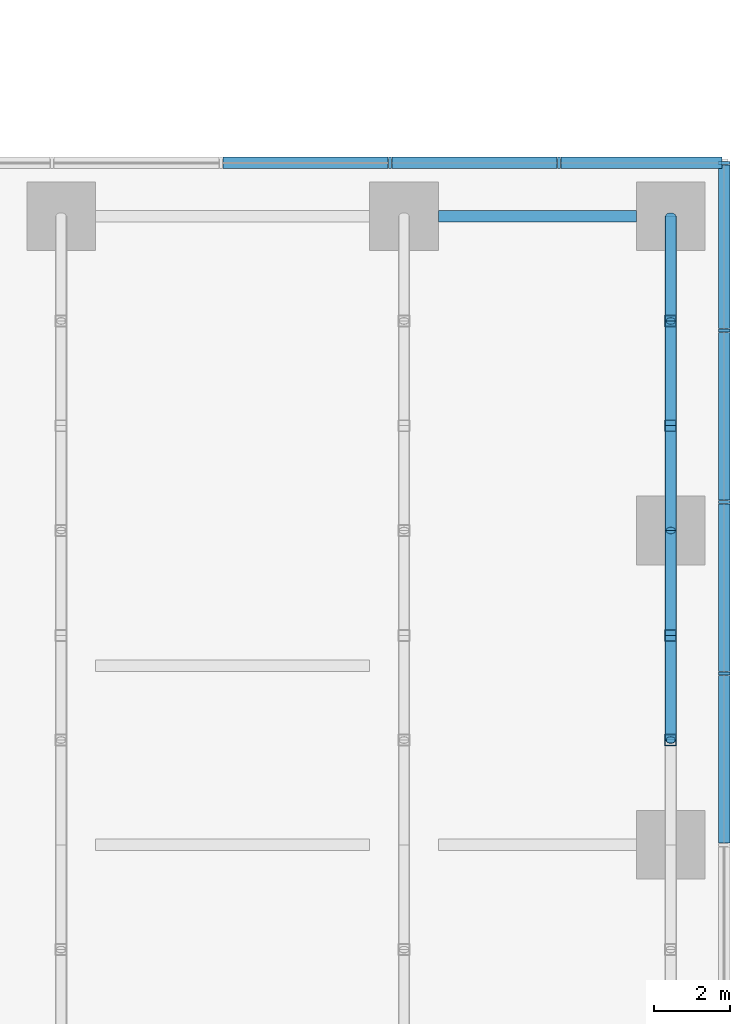
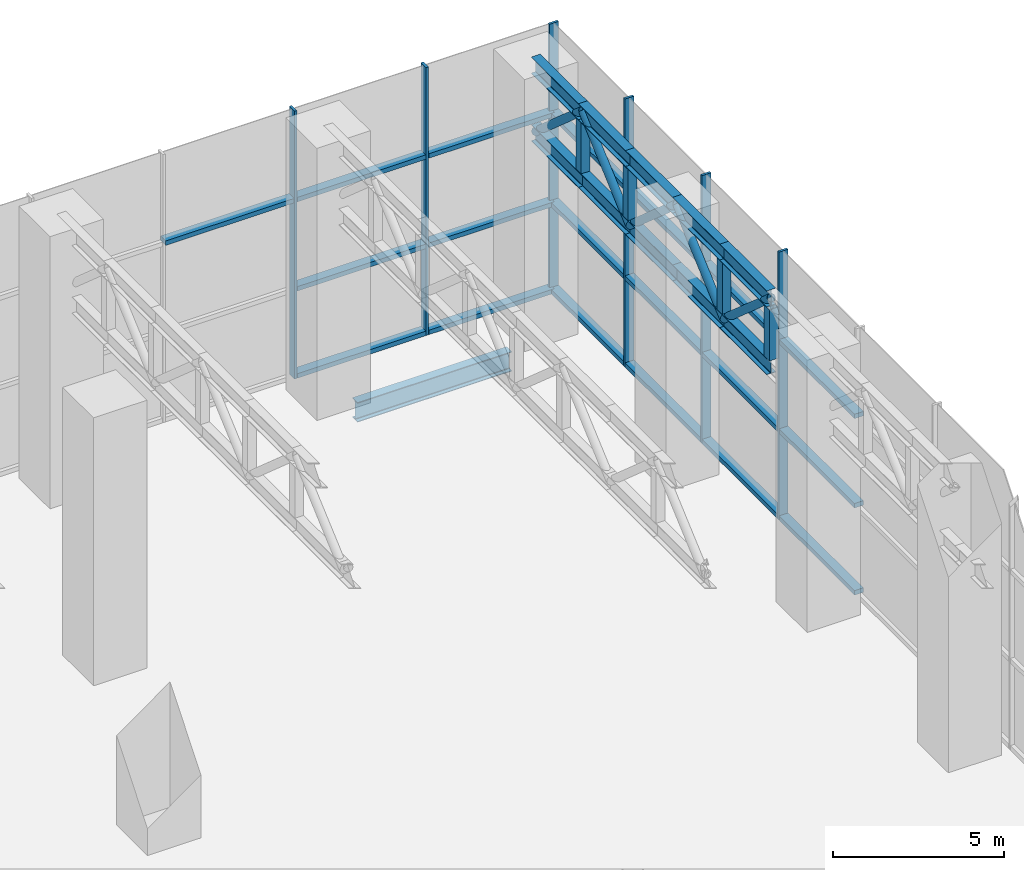
# One storey, part 8 of 21: 44 members, 1 beam, 2 elements without a shape of their own.
"""IFC4 building model written with IfcOpenShell, lengths in metres."""

from ifc_helpers import new_model, si_unit, direction, frame, origin, origin_2d, place, context, subcontext, project, spatial, rectangle, hollow_rectangle, hollow_circle, i_section, extrude, material, layer, layer_set, material_profile, profile_set, type_object, element, aggregate, save


model = new_model("IFC4")

# Units and contexts
model_context = context("Model", 3, precision=1e-05, world=origin(), true_north=direction((0.0, 1.0)))
body_context = subcontext(model_context, "Body", "Model", "MODEL_VIEW")
ifc_project = project(units=[si_unit("LENGTHUNIT", "METRE"), si_unit("AREAUNIT", "SQUARE_METRE"), si_unit("VOLUMEUNIT", "CUBIC_METRE"), si_unit("PLANEANGLEUNIT", "RADIAN"), si_unit("MASSUNIT", "GRAM", prefix="KILO")], contexts=[model_context])

# Site, building, storey
site_placement = place(None, origin())
site = spatial("IfcSite", under=ifc_project, at=site_placement, CompositionType="ELEMENT")
building_placement = place(site_placement, origin())
building = spatial("IfcBuilding", under=site, at=building_placement, Name="Dongbaek Canopy Tower", CompositionType="ELEMENT")
storey_placement = place(building_placement, frame((0.0, 0.0, 9.0)))
storey = spatial("IfcBuildingStorey", under=building, at=storey_placement, Name="L01", CompositionType="ELEMENT", Elevation=9.0)

# Members
ifc_material_1 = material(Name="Steel S355", Category="steel")
ifc_material_profile_1 = material_profile(ifc_material_1, hollow_circle(Radius=0.1337890625, WallThickness=0.00927734375, at=origin_2d()), Name="BRACE CHS 267.4x9.3 Steel S355")
ifc_profile_set_1 = profile_set([ifc_material_profile_1], Name="Steel S355")
member_type_1 = type_object("IfcMemberType", Name="BRACE CHS 267.4x9.3 Steel S355", PredefinedType="BRACE", material=ifc_profile_set_1)
for number, where, z_axis, x_axis, name in (
    (1, (56.5, 2.75, 9.406005859375), (0.0, 0.751782331066, -0.659411348627), (-1.0, 0.0, 0.0), "ROOFTRUSS:EW:3:D7"),
    (2, (56.5, 5.5, 6.993896484375), (0.0, 0.751782331066, 0.659411348627), (-1.0, 0.0, 0.0), "ROOFTRUSS:EW:3:D8"),
    (3, (56.5, 8.25, 9.406005859375), (0.0, 0.751782331066, -0.659411348627), (-1.0, 0.0, 0.0), "ROOFTRUSS:EW:3:D9"),
    (4, (56.5, 11.0, 6.993896484375), (0.0, 0.751782331066, 0.659411348627), (-1.0, 0.0, 0.0), "ROOFTRUSS:EW:3:D10"),
    (5, (56.5, 13.75, 9.406005859375), (0.0, 0.751782331066, -0.659411348627), (-1.0, 0.0, 0.0), "ROOFTRUSS:EW:3:D11"),
):
    element("IfcMember", number, at=place(storey_placement, frame(where, z_axis=z_axis, x_axis=x_axis)), inside=storey, type_object=member_type_1, Name=name, PredefinedType="BRACE", context=body_context, shape_type="SweptSolid", body=[
        extrude(hollow_circle(Radius=0.1337890625, WallThickness=0.00927734375, at=origin_2d()), origin(), (0.0, 0.0, 1.0), 3.657958984375),
    ])
ifc_material_2 = material(Name="Steel S355", Category="steel")
ifc_material_profile_2 = material_profile(ifc_material_2, i_section(OverallWidth=0.300048828125, OverallDepth=0.587890625, WebThickness=0.011962890625, FlangeThickness=0.02001953125, FilletRadius=0.028076171875, at=origin_2d()), Name="CHORD H 588x300x12x20 Steel S355")
ifc_profile_set_2 = profile_set([ifc_material_profile_2], Name="Steel S355")
member_type_2 = type_object("IfcMemberType", Name="CHORD H 588x300x12x20 Steel S355", PredefinedType="CHORD", material=ifc_profile_set_2)
for number, where, z_axis, x_axis, name in (
    (6, (56.5, 2.75, 6.993896484375), (0.0, 1.0, 0.0), (-1.0, 0.0, 0.0), "ROOFTRUSS:EW:3:CB7"),
    (7, (56.5, 2.75, 9.406005859375), (0.0, 1.0, 0.0), (-1.0, 0.0, 0.0), "ROOFTRUSS:EW:3:CT7"),
    (8, (56.5, 5.5, 6.993896484375), (0.0, 1.0, 0.0), (-1.0, 0.0, 0.0), "ROOFTRUSS:EW:3:CB8"),
    (9, (56.5, 5.5, 9.406005859375), (0.0, 1.0, 0.0), (-1.0, 0.0, 0.0), "ROOFTRUSS:EW:3:CT8"),
    (10, (56.5, 8.25, 6.993896484375), (0.0, 1.0, 0.0), (-1.0, 0.0, 0.0), "ROOFTRUSS:EW:3:CB9"),
    (11, (56.5, 8.25, 9.406005859375), (0.0, 1.0, 0.0), (-1.0, 0.0, 0.0), "ROOFTRUSS:EW:3:CT9"),
    (12, (56.5, 11.0, 6.993896484375), (0.0, 1.0, 0.0), (-1.0, 0.0, 0.0), "ROOFTRUSS:EW:3:CB10"),
    (13, (56.5, 11.0, 9.406005859375), (0.0, 1.0, 0.0), (-1.0, 0.0, 0.0), "ROOFTRUSS:EW:3:CT10"),
    (14, (56.5, 13.75, 6.993896484375), (0.0, 1.0, 0.0), (-1.0, 0.0, 0.0), "ROOFTRUSS:EW:3:CB11"),
    (15, (56.5, 13.75, 9.406005859375), (0.0, 1.0, 0.0), (-1.0, 0.0, 0.0), "ROOFTRUSS:EW:3:CT11"),
):
    element("IfcMember", number, at=place(storey_placement, frame(where, z_axis=z_axis, x_axis=x_axis)), inside=storey, type_object=member_type_2, Name=name, PredefinedType="CHORD", context=body_context, shape_type="SweptSolid", body=[
        extrude(i_section(OverallWidth=0.300048828125, OverallDepth=0.587890625, WebThickness=0.011962890625, FlangeThickness=0.02001953125, FilletRadius=0.028076171875, at=origin_2d()), origin(), (0.0, 0.0, 1.0), 2.75),
    ])

# Curtain wall, members
ifc_material_3 = material(Name="Aluminium 6063-T6 pale anodised", Category="aluminium")
ifc_layer = layer(ifc_material_3, 0.300048828125)
ifc_layer_set = layer_set([ifc_layer], Name="CW-2 podium hall curtain wall")
curtain_wall_type = type_object("IfcCurtainWallType", Name="CW-2 podium hall curtain wall", PredefinedType="NOTDEFINED", material=ifc_layer_set)
curtain_wall_1_placement = place(storey_placement, origin())
curtain_wall_1 = element("IfcCurtainWall", 16, at=curtain_wall_1_placement, inside=storey, type_object=curtain_wall_type, Name="CW-2 curtain wall F3.1", PredefinedType="NOTDEFINED")
ifc_material_4 = material(Name="Aluminium 6063-T6 pale anodised", Category="aluminium")
ifc_material_profile_3 = material_profile(ifc_material_4, rectangle(XDim=0.300048828125, YDim=0.080078125, at=origin_2d()), Name="CW-2 mullion 80 x 300")
ifc_profile_set_3 = profile_set([ifc_material_profile_3], Name="Aluminium 6063-T6 pale anodised")
member_type_3 = type_object("IfcMemberType", Name="CW-2 mullion 80 x 300", PredefinedType="MULLION", material=ifc_profile_set_3)
member_1_placement = place(storey_placement, frame((57.89990234375, 4.5, 0.0), z_axis=(0.0, 0.0, 1.0), x_axis=(1.0, 0.0, 0.0)))
member_1 = element("IfcMember", 17, at=member_1_placement, type_object=member_type_3, Name="CW-2 mullion F3.1.6", PredefinedType="MULLION", context=body_context, shape_type="SweptSolid", body=[
    extrude(rectangle(XDim=0.300048828125, YDim=0.080078125, at=origin_2d()), origin(), (0.0, 0.0, 1.0), 9.550048828125),
])
member_2_placement = place(storey_placement, frame((57.89990234375, 9.0, 0.0), z_axis=(0.0, 0.0, 1.0), x_axis=(1.0, 0.0, 0.0)))
member_2 = element("IfcMember", 18, at=member_2_placement, type_object=member_type_3, Name="CW-2 mullion F3.1.7", PredefinedType="MULLION", context=body_context, shape_type="SweptSolid", body=[
    extrude(rectangle(XDim=0.300048828125, YDim=0.080078125, at=origin_2d()), origin(), (0.0, 0.0, 1.0), 9.550048828125),
])
member_3_placement = place(storey_placement, frame((57.89990234375, 13.5, 0.0), z_axis=(0.0, 0.0, 1.0), x_axis=(1.0, 0.0, 0.0)))
member_3 = element("IfcMember", 19, at=member_3_placement, type_object=member_type_3, Name="CW-2 mullion F3.1.8", PredefinedType="MULLION", context=body_context, shape_type="SweptSolid", body=[
    extrude(rectangle(XDim=0.300048828125, YDim=0.080078125, at=origin_2d()), origin(), (0.0, 0.0, 1.0), 9.550048828125),
])
member_4_placement = place(storey_placement, frame((57.89990234375, 17.89990234375, 0.0), z_axis=(0.0, 0.0, 1.0), x_axis=(1.0, 0.0, 0.0)))
member_4 = element("IfcMember", 20, at=member_4_placement, type_object=member_type_3, Name="CW-2 mullion F3.1.9", PredefinedType="MULLION", context=body_context, shape_type="SweptSolid", body=[
    extrude(rectangle(XDim=0.300048828125, YDim=0.080078125, at=origin_2d()), origin(), (0.0, 0.0, 1.0), 9.550048828125),
])

curtain_wall_2_placement = place(storey_placement, origin())
curtain_wall_2 = element("IfcCurtainWall", 21, at=curtain_wall_2_placement, inside=storey, type_object=curtain_wall_type, Name="CW-2 curtain wall F4.1", PredefinedType="NOTDEFINED")
member_5_placement = place(storey_placement, frame((53.563720703125, 17.89990234375, 0.0), z_axis=(0.0, 0.0, 1.0), x_axis=(0.0, 1.0, 0.0)))
member_5 = element("IfcMember", 22, at=member_5_placement, type_object=member_type_3, Name="CW-2 mullion F4.1.2", PredefinedType="MULLION", context=body_context, shape_type="SweptSolid", body=[
    extrude(rectangle(XDim=0.300048828125, YDim=0.080078125, at=origin_2d()), origin(), (0.0, 0.0, 1.0), 9.550048828125),
])
member_6_placement = place(storey_placement, frame((49.127685546875, 17.89990234375, 0.0), z_axis=(0.0, 0.0, 1.0), x_axis=(0.0, 1.0, 0.0)))
member_6 = element("IfcMember", 23, at=member_6_placement, type_object=member_type_3, Name="CW-2 mullion F4.1.3", PredefinedType="MULLION", context=body_context, shape_type="SweptSolid", body=[
    extrude(rectangle(XDim=0.300048828125, YDim=0.080078125, at=origin_2d()), origin(), (0.0, 0.0, 1.0), 9.550048828125),
])

# Member
ifc_material_5 = material(Name="Aluminium 6063-T6 pale anodised", Category="aluminium")
ifc_material_profile_4 = material_profile(ifc_material_5, rectangle(XDim=0.300048828125, YDim=0.159912109375, at=origin_2d()), Name="CW-2 transom 160 x 300")
ifc_profile_set_4 = profile_set([ifc_material_profile_4], Name="Aluminium 6063-T6 pale anodised")
member_type_4 = type_object("IfcMemberType", Name="CW-2 transom 160 x 300", PredefinedType="USERDEFINED", material=ifc_profile_set_4)
member_7_placement = place(storey_placement, frame((57.89990234375, 0.052001953125, 0.080078125), z_axis=(0.0, 1.0, 0.0), x_axis=(-1.0, 0.0, 0.0)))
member_7 = element("IfcMember", 24, at=member_7_placement, type_object=member_type_4, Name="CW-2 transom F3.1.5.1", ObjectType="TRANSOM", PredefinedType="USERDEFINED", context=body_context, shape_type="SweptSolid", body=[
    extrude(rectangle(XDim=0.300048828125, YDim=0.159912109375, at=origin_2d()), origin(), (0.0, 0.0, 1.0), 4.39599609375),
])

member_8_placement = place(storey_placement, frame((57.89990234375, 0.052001953125, 3.183349609375), z_axis=(0.0, 1.0, 0.0), x_axis=(-1.0, 0.0, 0.0)))
member_8 = element("IfcMember", 25, at=member_8_placement, type_object=member_type_4, Name="CW-2 transom F3.1.5.2", ObjectType="TRANSOM", PredefinedType="USERDEFINED", context=body_context, shape_type="SweptSolid", body=[
    extrude(rectangle(XDim=0.300048828125, YDim=0.159912109375, at=origin_2d()), origin(), (0.0, 0.0, 1.0), 4.39599609375),
])

member_9_placement = place(storey_placement, frame((57.89990234375, 0.052001953125, 6.36669921875), z_axis=(0.0, 1.0, 0.0), x_axis=(-1.0, 0.0, 0.0)))
member_9 = element("IfcMember", 26, at=member_9_placement, type_object=member_type_4, Name="CW-2 transom F3.1.5.3", ObjectType="TRANSOM", PredefinedType="USERDEFINED", context=body_context, shape_type="SweptSolid", body=[
    extrude(rectangle(XDim=0.300048828125, YDim=0.159912109375, at=origin_2d()), origin(), (0.0, 0.0, 1.0), 4.39599609375),
])

member_10_placement = place(storey_placement, frame((57.89990234375, 4.552001953125, 0.080078125), z_axis=(0.0, 1.0, 0.0), x_axis=(-1.0, 0.0, 0.0)))
member_10 = element("IfcMember", 27, at=member_10_placement, type_object=member_type_4, Name="CW-2 transom F3.1.6.1", ObjectType="TRANSOM", PredefinedType="USERDEFINED", context=body_context, shape_type="SweptSolid", body=[
    extrude(rectangle(XDim=0.300048828125, YDim=0.159912109375, at=origin_2d()), origin(), (0.0, 0.0, 1.0), 4.39599609375),
])

member_11_placement = place(storey_placement, frame((57.89990234375, 4.552001953125, 3.183349609375), z_axis=(0.0, 1.0, 0.0), x_axis=(-1.0, 0.0, 0.0)))
member_11 = element("IfcMember", 28, at=member_11_placement, type_object=member_type_4, Name="CW-2 transom F3.1.6.2", ObjectType="TRANSOM", PredefinedType="USERDEFINED", context=body_context, shape_type="SweptSolid", body=[
    extrude(rectangle(XDim=0.300048828125, YDim=0.159912109375, at=origin_2d()), origin(), (0.0, 0.0, 1.0), 4.39599609375),
])

member_12_placement = place(storey_placement, frame((57.89990234375, 4.552001953125, 6.36669921875), z_axis=(0.0, 1.0, 0.0), x_axis=(-1.0, 0.0, 0.0)))
member_12 = element("IfcMember", 29, at=member_12_placement, type_object=member_type_4, Name="CW-2 transom F3.1.6.3", ObjectType="TRANSOM", PredefinedType="USERDEFINED", context=body_context, shape_type="SweptSolid", body=[
    extrude(rectangle(XDim=0.300048828125, YDim=0.159912109375, at=origin_2d()), origin(), (0.0, 0.0, 1.0), 4.39599609375),
])

member_13_placement = place(storey_placement, frame((57.89990234375, 9.052001953125, 0.080078125), z_axis=(0.0, 1.0, 0.0), x_axis=(-1.0, 0.0, 0.0)))
member_13 = element("IfcMember", 30, at=member_13_placement, type_object=member_type_4, Name="CW-2 transom F3.1.7.1", ObjectType="TRANSOM", PredefinedType="USERDEFINED", context=body_context, shape_type="SweptSolid", body=[
    extrude(rectangle(XDim=0.300048828125, YDim=0.159912109375, at=origin_2d()), origin(), (0.0, 0.0, 1.0), 4.39599609375),
])

member_14_placement = place(storey_placement, frame((57.89990234375, 9.052001953125, 3.183349609375), z_axis=(0.0, 1.0, 0.0), x_axis=(-1.0, 0.0, 0.0)))
member_14 = element("IfcMember", 31, at=member_14_placement, type_object=member_type_4, Name="CW-2 transom F3.1.7.2", ObjectType="TRANSOM", PredefinedType="USERDEFINED", context=body_context, shape_type="SweptSolid", body=[
    extrude(rectangle(XDim=0.300048828125, YDim=0.159912109375, at=origin_2d()), origin(), (0.0, 0.0, 1.0), 4.39599609375),
])

member_15_placement = place(storey_placement, frame((57.89990234375, 9.052001953125, 6.36669921875), z_axis=(0.0, 1.0, 0.0), x_axis=(-1.0, 0.0, 0.0)))
member_15 = element("IfcMember", 32, at=member_15_placement, type_object=member_type_4, Name="CW-2 transom F3.1.7.3", ObjectType="TRANSOM", PredefinedType="USERDEFINED", context=body_context, shape_type="SweptSolid", body=[
    extrude(rectangle(XDim=0.300048828125, YDim=0.159912109375, at=origin_2d()), origin(), (0.0, 0.0, 1.0), 4.39599609375),
])

member_16_placement = place(storey_placement, frame((57.89990234375, 13.552001953125, 0.080078125), z_axis=(0.0, 1.0, 0.0), x_axis=(-1.0, 0.0, 0.0)))
member_16 = element("IfcMember", 33, at=member_16_placement, type_object=member_type_4, Name="CW-2 transom F3.1.8.1", ObjectType="TRANSOM", PredefinedType="USERDEFINED", context=body_context, shape_type="SweptSolid", body=[
    extrude(rectangle(XDim=0.300048828125, YDim=0.159912109375, at=origin_2d()), origin(), (0.0, 0.0, 1.0), 4.2958984375),
])

member_17_placement = place(storey_placement, frame((57.89990234375, 13.552001953125, 3.183349609375), z_axis=(0.0, 1.0, 0.0), x_axis=(-1.0, 0.0, 0.0)))
member_17 = element("IfcMember", 34, at=member_17_placement, type_object=member_type_4, Name="CW-2 transom F3.1.8.2", ObjectType="TRANSOM", PredefinedType="USERDEFINED", context=body_context, shape_type="SweptSolid", body=[
    extrude(rectangle(XDim=0.300048828125, YDim=0.159912109375, at=origin_2d()), origin(), (0.0, 0.0, 1.0), 4.2958984375),
])

member_18_placement = place(storey_placement, frame((57.89990234375, 13.552001953125, 6.36669921875), z_axis=(0.0, 1.0, 0.0), x_axis=(-1.0, 0.0, 0.0)))
member_18 = element("IfcMember", 35, at=member_18_placement, type_object=member_type_4, Name="CW-2 transom F3.1.8.3", ObjectType="TRANSOM", PredefinedType="USERDEFINED", context=body_context, shape_type="SweptSolid", body=[
    extrude(rectangle(XDim=0.300048828125, YDim=0.159912109375, at=origin_2d()), origin(), (0.0, 0.0, 1.0), 4.2958984375),
])

aggregate(curtain_wall_1, [member_1, member_2, member_3, member_4, member_7, member_8, member_9, member_10, member_11, member_12, member_13, member_14, member_15, member_16, member_17, member_18])

member_19_placement = place(storey_placement, frame((57.847900390625, 17.89990234375, 0.080078125), z_axis=(-1.0, 0.0, 0.0), x_axis=(0.0, -1.0, 0.0)))
member_19 = element("IfcMember", 36, at=member_19_placement, type_object=member_type_4, Name="CW-2 transom F4.1.1.1", ObjectType="TRANSOM", PredefinedType="USERDEFINED", context=body_context, shape_type="SweptSolid", body=[
    extrude(rectangle(XDim=0.300048828125, YDim=0.159912109375, at=origin_2d()), origin(), (0.0, 0.0, 1.0), 4.232177734375),
])

member_20_placement = place(storey_placement, frame((57.847900390625, 17.89990234375, 3.183349609375), z_axis=(-1.0, 0.0, 0.0), x_axis=(0.0, -1.0, 0.0)))
member_20 = element("IfcMember", 37, at=member_20_placement, type_object=member_type_4, Name="CW-2 transom F4.1.1.2", ObjectType="TRANSOM", PredefinedType="USERDEFINED", context=body_context, shape_type="SweptSolid", body=[
    extrude(rectangle(XDim=0.300048828125, YDim=0.159912109375, at=origin_2d()), origin(), (0.0, 0.0, 1.0), 4.232177734375),
])

member_21_placement = place(storey_placement, frame((57.847900390625, 17.89990234375, 6.36669921875), z_axis=(-1.0, 0.0, 0.0), x_axis=(0.0, -1.0, 0.0)))
member_21 = element("IfcMember", 38, at=member_21_placement, type_object=member_type_4, Name="CW-2 transom F4.1.1.3", ObjectType="TRANSOM", PredefinedType="USERDEFINED", context=body_context, shape_type="SweptSolid", body=[
    extrude(rectangle(XDim=0.300048828125, YDim=0.159912109375, at=origin_2d()), origin(), (0.0, 0.0, 1.0), 4.232177734375),
])

member_22_placement = place(storey_placement, frame((53.51171875, 17.89990234375, 0.080078125), z_axis=(-1.0, 0.0, 0.0), x_axis=(0.0, -1.0, 0.0)))
member_22 = element("IfcMember", 39, at=member_22_placement, type_object=member_type_4, Name="CW-2 transom F4.1.2.1", ObjectType="TRANSOM", PredefinedType="USERDEFINED", context=body_context, shape_type="SweptSolid", body=[
    extrude(rectangle(XDim=0.300048828125, YDim=0.159912109375, at=origin_2d()), origin(), (0.0, 0.0, 1.0), 4.33203125),
])

member_23_placement = place(storey_placement, frame((53.51171875, 17.89990234375, 3.183349609375), z_axis=(-1.0, 0.0, 0.0), x_axis=(0.0, -1.0, 0.0)))
member_23 = element("IfcMember", 40, at=member_23_placement, type_object=member_type_4, Name="CW-2 transom F4.1.2.2", ObjectType="TRANSOM", PredefinedType="USERDEFINED", context=body_context, shape_type="SweptSolid", body=[
    extrude(rectangle(XDim=0.300048828125, YDim=0.159912109375, at=origin_2d()), origin(), (0.0, 0.0, 1.0), 4.33203125),
])

member_24_placement = place(storey_placement, frame((53.51171875, 17.89990234375, 6.36669921875), z_axis=(-1.0, 0.0, 0.0), x_axis=(0.0, -1.0, 0.0)))
member_24 = element("IfcMember", 41, at=member_24_placement, type_object=member_type_4, Name="CW-2 transom F4.1.2.3", ObjectType="TRANSOM", PredefinedType="USERDEFINED", context=body_context, shape_type="SweptSolid", body=[
    extrude(rectangle(XDim=0.300048828125, YDim=0.159912109375, at=origin_2d()), origin(), (0.0, 0.0, 1.0), 4.33203125),
])

member_25_placement = place(storey_placement, frame((49.07568359375, 17.89990234375, 6.36669921875), z_axis=(-1.0, 0.0, 0.0), x_axis=(0.0, -1.0, 0.0)))
member_25 = element("IfcMember", 42, at=member_25_placement, type_object=member_type_4, Name="CW-2 transom F4.1.3.3", ObjectType="TRANSOM", PredefinedType="USERDEFINED", context=body_context, shape_type="SweptSolid", body=[
    extrude(rectangle(XDim=0.300048828125, YDim=0.159912109375, at=origin_2d()), origin(), (0.0, 0.0, 1.0), 4.332275390625),
])

aggregate(curtain_wall_2, [member_5, member_6, member_19, member_20, member_21, member_22, member_23, member_24, member_25])

# Beam
ifc_material_6 = material(Name="Steel S355", Category="steel")
ifc_material_profile_5 = material_profile(ifc_material_6, i_section(OverallWidth=0.300048828125, OverallDepth=0.699951171875, WebThickness=0.012939453125, FlangeThickness=0.02392578125, FilletRadius=0.028076171875, at=origin_2d()), Name="FLOOR GIRDER H 700x300x13x24 Steel S355 beam")
ifc_profile_set_5 = profile_set([ifc_material_profile_5], Name="Steel S355")
beam_type = type_object("IfcBeamType", Name="FLOOR GIRDER H 700x300x13x24 Steel S355 beam", PredefinedType="BEAM", material=ifc_profile_set_5)
beam_placement = place(storey_placement, frame((50.39990234375, 16.5, -0.800048828125), z_axis=(1.0, 0.0, 0.0), x_axis=(0.0, 1.0, 0.0)))
element("IfcBeam", 43, at=beam_placement, inside=storey, type_object=beam_type, Name="GIRDER:EW:10", PredefinedType="BEAM", context=body_context, shape_type="SweptSolid", body=[
    extrude(i_section(OverallWidth=0.300048828125, OverallDepth=0.699951171875, WebThickness=0.012939453125, FlangeThickness=0.02392578125, FilletRadius=0.028076171875, at=origin_2d()), origin(), (0.0, 0.0, 1.0), 5.2001953125),
])

# Members
ifc_material_7 = material(Name="Steel S355", Category="steel")
ifc_material_profile_6 = material_profile(ifc_material_7, hollow_rectangle(XDim=0.300048828125, YDim=0.300048828125, WallThickness=0.011962890625, at=origin_2d()), Name="POST SHS 300x300x12 Steel S355")
ifc_profile_set_6 = profile_set([ifc_material_profile_6], Name="Steel S355")
member_type_5 = type_object("IfcMemberType", Name="POST SHS 300x300x12 Steel S355", PredefinedType="POST", material=ifc_profile_set_6)
for number, where, z_axis, x_axis, name in (
    (44, (56.5, 2.75, 7.2880859375), (0.0, 0.0, 1.0), (1.0, 0.0, 0.0), "ROOFTRUSS:EW:3:P7"),
    (45, (56.5, 5.5, 7.2880859375), (0.0, 0.0, 1.0), (1.0, 0.0, 0.0), "ROOFTRUSS:EW:3:P8"),
    (46, (56.5, 11.0, 7.2880859375), (0.0, 0.0, 1.0), (1.0, 0.0, 0.0), "ROOFTRUSS:EW:3:P10"),
    (47, (56.5, 13.75, 7.2880859375), (0.0, 0.0, 1.0), (1.0, 0.0, 0.0), "ROOFTRUSS:EW:3:P11"),
):
    element("IfcMember", number, at=place(storey_placement, frame(where, z_axis=z_axis, x_axis=x_axis)), inside=storey, type_object=member_type_5, Name=name, PredefinedType="POST", context=body_context, shape_type="SweptSolid", body=[
        extrude(hollow_rectangle(XDim=0.300048828125, YDim=0.300048828125, WallThickness=0.011962890625, at=origin_2d()), origin(), (0.0, 0.0, 1.0), 1.823974609375),
    ])

save(model, "model.ifc")
